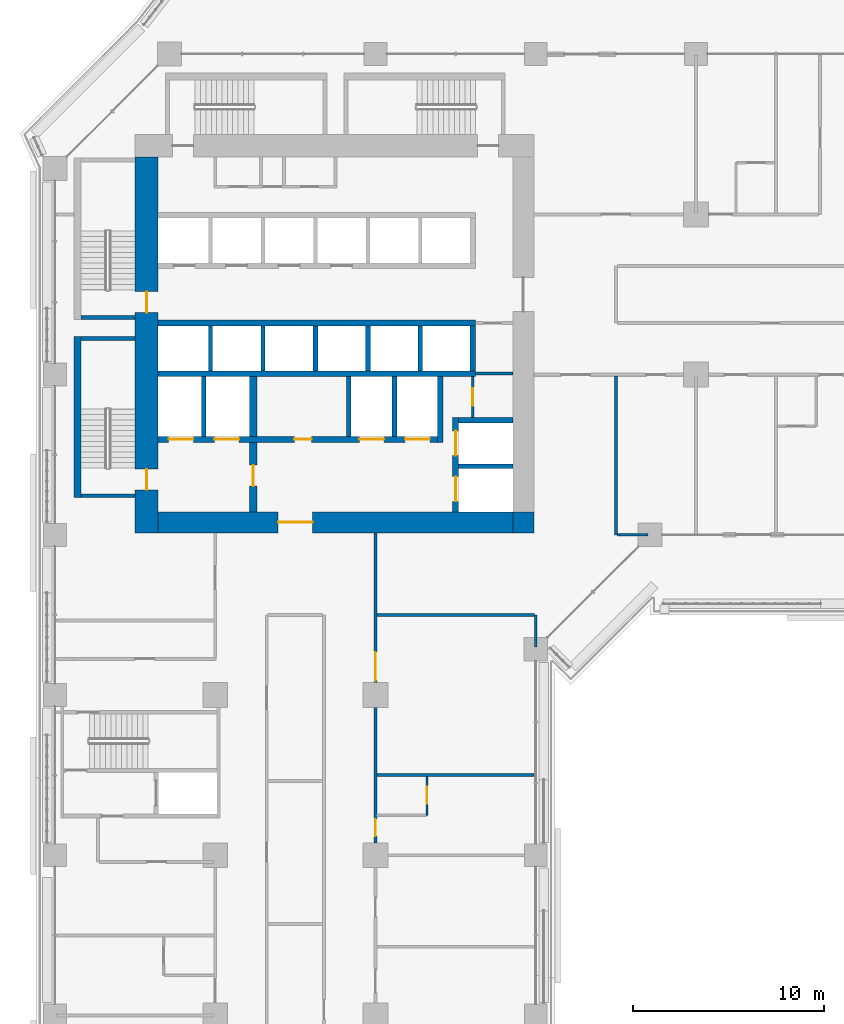
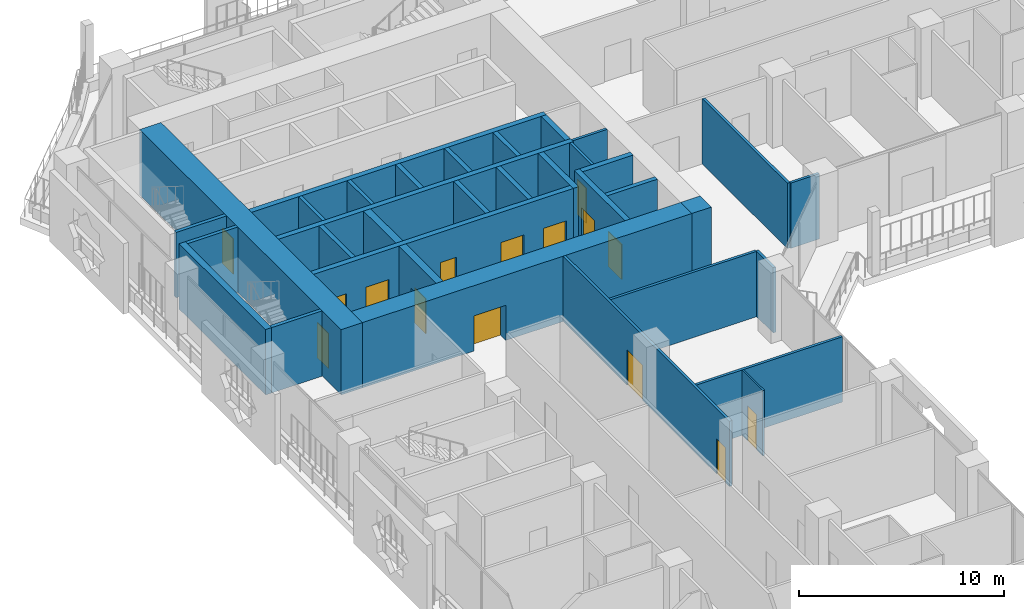
# One storey, part 15 of 28: 34 walls, 15 doors, 15 openings.
"""IFC4 building model written with IfcOpenShell, lengths in metres."""

from ifc_helpers import new_model, si_unit, direction, frame, frame_2d, origin, place, context, subcontext, project, spatial, rectangle, extrude, material, layer, layer_set, type_object, element, fill, save


model = new_model("IFC4")

# Units and contexts
model_context = context("Model", 3, precision=1e-05, world=origin(), true_north=direction((0.0, 1.0)))
body_context = subcontext(model_context, "Body", "Model", "MODEL_VIEW")
ifc_project = project(units=[si_unit("LENGTHUNIT", "METRE"), si_unit("AREAUNIT", "SQUARE_METRE"), si_unit("VOLUMEUNIT", "CUBIC_METRE"), si_unit("PLANEANGLEUNIT", "RADIAN"), si_unit("MASSUNIT", "GRAM", prefix="KILO")], contexts=[model_context])

# Site, building, storey
site_placement = place(None, origin())
site = spatial("IfcSite", under=ifc_project, at=site_placement, CompositionType="ELEMENT")
building_placement = place(site_placement, origin())
building = spatial("IfcBuilding", under=site, at=building_placement, Name="Kawkab Arch Medical Tower", CompositionType="ELEMENT")
storey_placement = place(building_placement, frame((0.0, 0.0, 77.0)))
storey = spatial("IfcBuildingStorey", under=building, at=storey_placement, Name="L17", CompositionType="ELEMENT", Elevation=77.0)

# Wall, opening, door
ifc_material_1 = material(Name="Concrete C60/75", Category="concrete")
ifc_layer_1 = layer(ifc_material_1, 1.10009765625)
ifc_layer_set_1 = layer_set([ifc_layer_1], Name="Concrete C60/75")
wall_type_1 = type_object("IfcWallType", Name="Core ring wall 1100 C60/75", PredefinedType="SHEAR", material=ifc_layer_set_1)
wall_1_placement = place(storey_placement, frame((5.39990234375, -24.550048828125, 0.0), z_axis=(0.0, 0.0, 1.0), x_axis=(1.0, 0.0, 0.0)))
wall_1 = element("IfcWall", 1, at=wall_1_placement, inside=storey, type_object=wall_type_1, Name="L17 core wall", PredefinedType="SHEAR", context=body_context, shape_type="SweptSolid", body=[
    extrude(rectangle(XDim=18.60009765625, YDim=1.10009765625, at=frame_2d((9.300048828125, 0.0))), origin(), (0.0, 0.0, 1.0), 3.89990234375),
])
opening_1_placement = place(wall_1_placement, frame((6.300048828125, 0.0, 0.0)))
opening_1 = element("IfcOpeningElement", 2, at=opening_1_placement, cuts=wall_1, Name="Opening PD", PredefinedType="OPENING", context=body_context, shape_type="SweptSolid", body=[
    extrude(rectangle(XDim=1.800048828125, YDim=2.10009765625, at=frame_2d((0.89990234375, 1.050048828125))), frame((0.0, 0.56005859375, 0.0), z_axis=(0.0, -1.0, 0.0), x_axis=(1.0, 0.0, 0.0)), (0.0, 0.0, 1.0), 1.1201171875),
])
ifc_material_2 = material(Name="Hollow metal fire door leaf")
door_type_1 = type_object("IfcDoorType", Name="Core entrance doors 1800", OperationType="DOUBLE_DOOR_SINGLE_SWING", PredefinedType="DOOR", material=ifc_material_2)
door_1_placement = place(opening_1_placement, origin())
door_1 = element("IfcDoor", 3, at=door_1_placement, inside=storey, type_object=door_type_1, Name="L17 South entrance doors", OperationType="DOUBLE_DOOR_SINGLE_SWING", OverallHeight=2.10009765625, OverallWidth=1.800048828125, PredefinedType="DOOR", context=body_context, shape_type="SweptSolid", body=[
    extrude(rectangle(XDim=1.800048828125, YDim=2.10009765625, at=frame_2d((0.89990234375, 1.050048828125))), frame((0.0, 0.02490234375, 0.0), z_axis=(0.0, -1.0, 0.0), x_axis=(1.0, 0.0, 0.0)), (0.0, 0.0, 1.0), 0.050048828125),
])
fill(opening_1, door_1)

# Wall
wall_2_placement = place(storey_placement, frame((24.550048828125, -25.10009765625, 0.0), z_axis=(0.0, 0.0, 1.0), x_axis=(0.0, 1.0, 0.0)))
element("IfcWall", 4, at=wall_2_placement, inside=storey, type_object=wall_type_1, Name="L17 core wall", PredefinedType="SHEAR", context=body_context, shape_type="SweptSolid", body=[
    extrude(rectangle(XDim=1.10009765625, YDim=1.10009765625, at=frame_2d((0.550048828125, 0.0))), origin(), (0.0, 0.0, 1.0), 3.89990234375),
])

# Wall, openings, doors
ifc_material_3 = material(Name="Concrete C60/75", Category="concrete")
ifc_layer_2 = layer(ifc_material_3, 1.199951171875)
ifc_layer_set_2 = layer_set([ifc_layer_2], Name="Concrete C60/75")
wall_type_2 = type_object("IfcWallType", Name="Core ring wall 1200 C60/75", PredefinedType="SHEAR", material=ifc_layer_set_2)
wall_3_placement = place(storey_placement, frame((4.800048828125, -25.10009765625, 0.0), z_axis=(0.0, 0.0, 1.0), x_axis=(0.0, 1.0, 0.0)))
wall_3 = element("IfcWall", 5, at=wall_3_placement, inside=storey, type_object=wall_type_2, Name="L17 core wall", PredefinedType="SHEAR", context=body_context, shape_type="SweptSolid", body=[
    extrude(rectangle(XDim=19.7001953125, YDim=1.199951171875, at=frame_2d((9.85009765625, 0.0))), origin(), (0.0, 0.0, 1.0), 3.89990234375),
])
opening_2_placement = place(wall_3_placement, frame((11.550048828125, 0.0, 0.0)))
opening_2 = element("IfcOpeningElement", 6, at=opening_2_placement, cuts=wall_3, Name="Opening SD", PredefinedType="OPENING", context=body_context, shape_type="SweptSolid", body=[
    extrude(rectangle(XDim=1.10009765625, YDim=2.10009765625, at=frame_2d((0.550048828125, 1.050048828125))), frame((0.0, 0.60986328125, 0.0), z_axis=(0.0, -1.0, 0.0), x_axis=(1.0, 0.0, 0.0)), (0.0, 0.0, 1.0), 1.219970703125),
])
opening_3_placement = place(wall_3_placement, frame((2.25, 0.0, 0.0)))
opening_3 = element("IfcOpeningElement", 7, at=opening_3_placement, cuts=wall_3, Name="Opening SD", PredefinedType="OPENING", context=body_context, shape_type="SweptSolid", body=[
    extrude(rectangle(XDim=1.10009765625, YDim=2.10009765625, at=frame_2d((0.550048828125, 1.050048828125))), frame((0.0, 0.60986328125, 0.0), z_axis=(0.0, -1.0, 0.0), x_axis=(1.0, 0.0, 0.0)), (0.0, 0.0, 1.0), 1.219970703125),
])
ifc_material_4 = material(Name="Hollow metal fire door leaf")
door_type_2 = type_object("IfcDoorType", Name="Exit stair door 1100", OperationType="SINGLE_SWING_LEFT", PredefinedType="DOOR", material=ifc_material_4)
door_2_placement = place(opening_2_placement, origin())
door_2 = element("IfcDoor", 8, at=door_2_placement, inside=storey, type_object=door_type_2, Name="L17 Exit stair ST1 door", OperationType="SINGLE_SWING_LEFT", OverallHeight=2.10009765625, OverallWidth=1.10009765625, PredefinedType="DOOR", context=body_context, shape_type="SweptSolid", body=[
    extrude(rectangle(XDim=1.10009765625, YDim=2.10009765625, at=frame_2d((0.550048828125, 1.050048828125))), frame((0.0, 0.02490234375, 0.0), z_axis=(0.0, -1.0, 0.0), x_axis=(1.0, 0.0, 0.0)), (0.0, 0.0, 1.0), 0.050048828125),
])
fill(opening_2, door_2)
door_3_placement = place(opening_3_placement, origin())
door_3 = element("IfcDoor", 9, at=door_3_placement, inside=storey, type_object=door_type_2, Name="L17 Exit stair ST2 door", OperationType="SINGLE_SWING_LEFT", OverallHeight=2.10009765625, OverallWidth=1.10009765625, PredefinedType="DOOR", context=body_context, shape_type="SweptSolid", body=[
    extrude(rectangle(XDim=1.10009765625, YDim=2.10009765625, at=frame_2d((0.550048828125, 1.050048828125))), frame((0.0, 0.02490234375, 0.0), z_axis=(0.0, -1.0, 0.0), x_axis=(1.0, 0.0, 0.0)), (0.0, 0.0, 1.0), 0.050048828125),
])
fill(opening_3, door_3)

# Wall, opening, door
ifc_material_5 = material(Name="Gypsum board on steel studs", Category="steel")
ifc_layer_3 = layer(ifc_material_5, 0.14990234375)
ifc_layer_set_3 = layer_set([ifc_layer_3], Name="Gypsum board on steel studs")
wall_type_3 = type_object("IfcWallType", Name="Core room partition 150", PredefinedType="PARTITIONING", material=ifc_layer_set_3)
wall_4_placement = place(storey_placement, frame((21.89990234375, -19.050048828125, 0.0), z_axis=(0.0, 0.0, 1.0), x_axis=(0.0, 1.0, 0.0)))
wall_4 = element("IfcWall", 10, at=wall_4_placement, inside=storey, type_object=wall_type_3, Name="L17 core room partition", PredefinedType="PARTITIONING", context=body_context, shape_type="SweptSolid", body=[
    extrude(rectangle(XDim=2.150146484375, YDim=0.14990234375, at=frame_2d((1.0751953125, 0.0))), origin(), (0.0, 0.0, 1.0), 3.89990234375),
])
opening_4_placement = place(wall_4_placement, frame((0.625, 0.0, 0.0)))
opening_4 = element("IfcOpeningElement", 11, at=opening_4_placement, cuts=wall_4, Name="Opening RD", PredefinedType="OPENING", context=body_context, shape_type="SweptSolid", body=[
    extrude(rectangle(XDim=0.89990234375, YDim=2.10009765625, at=frame_2d((0.449951171875, 1.050048828125))), frame((0.0, 0.0849609375, 0.0), z_axis=(0.0, -1.0, 0.0), x_axis=(1.0, 0.0, 0.0)), (0.0, 0.0, 1.0), 0.169921875),
])
ifc_material_6 = material(Name="Hollow metal fire door leaf")
door_type_3 = type_object("IfcDoorType", Name="Core room door 900", OperationType="SINGLE_SWING_LEFT", PredefinedType="DOOR", material=ifc_material_6)
door_4_placement = place(opening_4_placement, origin())
door_4 = element("IfcDoor", 12, at=door_4_placement, inside=storey, type_object=door_type_3, Name="L17 Accessible WC door", OperationType="SINGLE_SWING_LEFT", OverallHeight=2.10009765625, OverallWidth=0.89990234375, PredefinedType="DOOR", context=body_context, shape_type="SweptSolid", body=[
    extrude(rectangle(XDim=0.89990234375, YDim=2.10009765625, at=frame_2d((0.449951171875, 1.050048828125))), frame((0.0, 0.02490234375, 0.0), z_axis=(0.0, -1.0, 0.0), x_axis=(1.0, 0.0, 0.0)), (0.0, 0.0, 1.0), 0.050048828125),
])
fill(opening_4, door_4)

# Walls
wall_5_placement = place(storey_placement, frame((22.050048828125, -16.75, 0.0), z_axis=(0.0, 0.0, 1.0), x_axis=(1.0, 0.0, 0.0)))
element("IfcWall", 13, at=wall_5_placement, inside=storey, type_object=wall_type_3, Name="L17 core room partition", PredefinedType="PARTITIONING", context=body_context, shape_type="SweptSolid", body=[
    extrude(rectangle(XDim=1.949951171875, YDim=0.14990234375, at=frame_2d((0.97509765625, 0.0))), origin(), (0.0, 0.0, 1.0), 3.89990234375),
])
ifc_material_7 = material(Name="Concrete C60/75", Category="concrete")
ifc_layer_4 = layer(ifc_material_7, 0.25)
ifc_layer_set_4 = layer_set([ifc_layer_4], Name="Concrete C60/75")
wall_type_4 = type_object("IfcWallType", Name="Core shear wall 250 C60/75", PredefinedType="SHEAR", material=ifc_layer_set_4)
wall_6_placement = place(storey_placement, frame((21.14990234375, -21.60009765625, 0.0), z_axis=(0.0, 0.0, 1.0), x_axis=(1.0, 0.0, 0.0)))
element("IfcWall", 14, at=wall_6_placement, inside=storey, type_object=wall_type_4, Name="L17 core shear wall", PredefinedType="SHEAR", context=body_context, shape_type="SweptSolid", body=[
    extrude(rectangle(XDim=2.85009765625, YDim=0.25, at=frame_2d((1.425048828125, 0.0))), origin(), (0.0, 0.0, 1.0), 3.89990234375),
])
for number, where, z_axis, x_axis, name in (
    (15, (7.800048828125, -20.050048828125, 0.0), (0.0, 0.0, 1.0), (0.0, 1.0, 0.0), "L17 core shear wall"),
    (16, (15.39990234375, -20.050048828125, 0.0), (0.0, 0.0, 1.0), (0.0, 1.0, 0.0), "L17 core shear wall"),
    (17, (17.800048828125, -20.050048828125, 0.0), (0.0, 0.0, 1.0), (0.0, 1.0, 0.0), "L17 core shear wall"),
):
    element("IfcWall", number, at=place(storey_placement, frame(where, z_axis=z_axis, x_axis=x_axis)), inside=storey, type_object=wall_type_4, Name=name, PredefinedType="SHEAR", context=body_context, shape_type="SweptSolid", body=[
        extrude(rectangle(XDim=3.150146484375, YDim=0.25, at=frame_2d((1.5751953125, 0.0))), origin(), (0.0, 0.0, 1.0), 3.89990234375),
    ])
for number, where, z_axis, x_axis, name in (
    (18, (13.64990234375, -16.60009765625, 0.0), (0.0, 0.0, 1.0), (0.0, 1.0, 0.0), "L17 core shear wall"),
    (19, (16.39990234375, -16.60009765625, 0.0), (0.0, 0.0, 1.0), (0.0, 1.0, 0.0), "L17 core shear wall"),
    (20, (19.14990234375, -16.60009765625, 0.0), (0.0, 0.0, 1.0), (0.0, 1.0, 0.0), "L17 core shear wall"),
):
    element("IfcWall", number, at=place(storey_placement, frame(where, z_axis=z_axis, x_axis=x_axis)), inside=storey, type_object=wall_type_4, Name=name, PredefinedType="SHEAR", context=body_context, shape_type="SweptSolid", body=[
        extrude(rectangle(XDim=2.35009765625, YDim=0.25, at=frame_2d((1.175048828125, 0.0))), origin(), (0.0, 0.0, 1.0), 3.89990234375),
    ])
ifc_material_8 = material(Name="Concrete C60/75", Category="concrete")
ifc_layer_5 = layer(ifc_material_8, 0.300048828125)
ifc_layer_set_5 = layer_set([ifc_layer_5], Name="Concrete C60/75")
wall_type_5 = type_object("IfcWallType", Name="Core shear wall 300 C60/75", PredefinedType="SHEAR", material=ifc_layer_set_5)
for number, where, z_axis, x_axis, name in (
    (21, (5.39990234375, -14.10009765625, 0.0), (0.0, 0.0, 1.0), (1.0, 0.0, 0.0), "L17 core shear wall"),
    (22, (5.39990234375, -16.75, 0.0), (0.0, 0.0, 1.0), (1.0, 0.0, 0.0), "L17 core shear wall"),
):
    element("IfcWall", number, at=place(storey_placement, frame(where, z_axis=z_axis, x_axis=x_axis)), inside=storey, type_object=wall_type_5, Name=name, PredefinedType="SHEAR", context=body_context, shape_type="SweptSolid", body=[
        extrude(rectangle(XDim=16.650146484375, YDim=0.300048828125, at=frame_2d((8.3251953125, 0.0))), origin(), (0.0, 0.0, 1.0), 3.89990234375),
    ])

# Wall, openings, doors
wall_7_placement = place(storey_placement, frame((5.39990234375, -20.199951171875, 0.0), z_axis=(0.0, 0.0, 1.0), x_axis=(1.0, 0.0, 0.0)))
wall_7 = element("IfcWall", 23, at=wall_7_placement, inside=storey, type_object=wall_type_5, Name="L17 core shear wall", PredefinedType="SHEAR", context=body_context, shape_type="SweptSolid", body=[
    extrude(rectangle(XDim=14.650146484375, YDim=0.300048828125, at=frame_2d((7.3251953125, 0.0))), origin(), (0.0, 0.0, 1.0), 3.89990234375),
])
opening_5_placement = place(wall_7_placement, frame((10.550048828125, 0.0, 0.0)))
opening_5 = element("IfcOpeningElement", 24, at=opening_5_placement, cuts=wall_7, Name="Opening LD2", PredefinedType="OPENING", context=body_context, shape_type="SweptSolid", body=[
    extrude(rectangle(XDim=1.300048828125, YDim=2.10009765625, at=frame_2d((0.64990234375, 1.050048828125))), frame((0.0, 0.159912109375, 0.0), z_axis=(0.0, -1.0, 0.0), x_axis=(1.0, 0.0, 0.0)), (0.0, 0.0, 1.0), 0.320068359375),
])
opening_6_placement = place(wall_7_placement, frame((12.949951171875, 0.0, 0.0)))
opening_6 = element("IfcOpeningElement", 25, at=opening_6_placement, cuts=wall_7, Name="Opening LD2", PredefinedType="OPENING", context=body_context, shape_type="SweptSolid", body=[
    extrude(rectangle(XDim=1.300048828125, YDim=2.10009765625, at=frame_2d((0.64990234375, 1.050048828125))), frame((0.0, 0.159912109375, 0.0), z_axis=(0.0, -1.0, 0.0), x_axis=(1.0, 0.0, 0.0)), (0.0, 0.0, 1.0), 0.320068359375),
])
opening_7_placement = place(wall_7_placement, frame((0.550048828125, 0.0, 0.0)))
opening_7 = element("IfcOpeningElement", 26, at=opening_7_placement, cuts=wall_7, Name="Opening LD2", PredefinedType="OPENING", context=body_context, shape_type="SweptSolid", body=[
    extrude(rectangle(XDim=1.300048828125, YDim=2.10009765625, at=frame_2d((0.64990234375, 1.050048828125))), frame((0.0, 0.159912109375, 0.0), z_axis=(0.0, -1.0, 0.0), x_axis=(1.0, 0.0, 0.0)), (0.0, 0.0, 1.0), 0.320068359375),
])
opening_8_placement = place(wall_7_placement, frame((2.949951171875, 0.0, 0.0)))
opening_8 = element("IfcOpeningElement", 27, at=opening_8_placement, cuts=wall_7, Name="Opening LD2", PredefinedType="OPENING", context=body_context, shape_type="SweptSolid", body=[
    extrude(rectangle(XDim=1.300048828125, YDim=2.10009765625, at=frame_2d((0.64990234375, 1.050048828125))), frame((0.0, 0.159912109375, 0.0), z_axis=(0.0, -1.0, 0.0), x_axis=(1.0, 0.0, 0.0)), (0.0, 0.0, 1.0), 0.320068359375),
])
opening_9_placement = place(wall_7_placement, frame((7.14990234375, 0.0, 0.0)))
opening_9 = element("IfcOpeningElement", 28, at=opening_9_placement, cuts=wall_7, Name="Opening RD", PredefinedType="OPENING", context=body_context, shape_type="SweptSolid", body=[
    extrude(rectangle(XDim=0.89990234375, YDim=2.10009765625, at=frame_2d((0.449951171875, 1.050048828125))), frame((0.0, 0.159912109375, 0.0), z_axis=(0.0, -1.0, 0.0), x_axis=(1.0, 0.0, 0.0)), (0.0, 0.0, 1.0), 0.320068359375),
])
door_5_placement = place(opening_9_placement, origin())
door_5 = element("IfcDoor", 29, at=door_5_placement, inside=storey, type_object=door_type_3, Name="L17 Linen store door", OperationType="SINGLE_SWING_LEFT", OverallHeight=2.10009765625, OverallWidth=0.89990234375, PredefinedType="DOOR", context=body_context, shape_type="SweptSolid", body=[
    extrude(rectangle(XDim=0.89990234375, YDim=2.10009765625, at=frame_2d((0.449951171875, 1.050048828125))), frame((0.0, 0.02490234375, 0.0), z_axis=(0.0, -1.0, 0.0), x_axis=(1.0, 0.0, 0.0)), (0.0, 0.0, 1.0), 0.050048828125),
])
fill(opening_9, door_5)
ifc_material_9 = material(Name="Stainless steel lift door leaf", Category="steel")
door_type_4 = type_object("IfcDoorType", Name="Lift landing door 1300", OperationType="DOUBLE_DOOR_SLIDING", PredefinedType="DOOR", material=ifc_material_9)
door_6_placement = place(opening_5_placement, origin())
door_6 = element("IfcDoor", 30, at=door_6_placement, inside=storey, type_object=door_type_4, Name="L17 Lift landing door BD3", OperationType="DOUBLE_DOOR_SLIDING", OverallHeight=2.10009765625, OverallWidth=1.300048828125, PredefinedType="DOOR", context=body_context, shape_type="SweptSolid", body=[
    extrude(rectangle(XDim=1.300048828125, YDim=2.10009765625, at=frame_2d((0.64990234375, 1.050048828125))), frame((0.0, 0.02490234375, 0.0), z_axis=(0.0, -1.0, 0.0), x_axis=(1.0, 0.0, 0.0)), (0.0, 0.0, 1.0), 0.050048828125),
])
fill(opening_5, door_6)
door_7_placement = place(opening_6_placement, origin())
door_7 = element("IfcDoor", 31, at=door_7_placement, inside=storey, type_object=door_type_4, Name="L17 Lift landing door BD4", OperationType="DOUBLE_DOOR_SLIDING", OverallHeight=2.10009765625, OverallWidth=1.300048828125, PredefinedType="DOOR", context=body_context, shape_type="SweptSolid", body=[
    extrude(rectangle(XDim=1.300048828125, YDim=2.10009765625, at=frame_2d((0.64990234375, 1.050048828125))), frame((0.0, 0.02490234375, 0.0), z_axis=(0.0, -1.0, 0.0), x_axis=(1.0, 0.0, 0.0)), (0.0, 0.0, 1.0), 0.050048828125),
])
fill(opening_6, door_7)
door_8_placement = place(opening_7_placement, origin())
door_8 = element("IfcDoor", 32, at=door_8_placement, inside=storey, type_object=door_type_4, Name="L17 Lift landing door FL1", OperationType="DOUBLE_DOOR_SLIDING", OverallHeight=2.10009765625, OverallWidth=1.300048828125, PredefinedType="DOOR", context=body_context, shape_type="SweptSolid", body=[
    extrude(rectangle(XDim=1.300048828125, YDim=2.10009765625, at=frame_2d((0.64990234375, 1.050048828125))), frame((0.0, 0.02490234375, 0.0), z_axis=(0.0, -1.0, 0.0), x_axis=(1.0, 0.0, 0.0)), (0.0, 0.0, 1.0), 0.050048828125),
])
fill(opening_7, door_8)
door_9_placement = place(opening_8_placement, origin())
door_9 = element("IfcDoor", 33, at=door_9_placement, inside=storey, type_object=door_type_4, Name="L17 Lift landing door FL2", OperationType="DOUBLE_DOOR_SLIDING", OverallHeight=2.10009765625, OverallWidth=1.300048828125, PredefinedType="DOOR", context=body_context, shape_type="SweptSolid", body=[
    extrude(rectangle(XDim=1.300048828125, YDim=2.10009765625, at=frame_2d((0.64990234375, 1.050048828125))), frame((0.0, 0.02490234375, 0.0), z_axis=(0.0, -1.0, 0.0), x_axis=(1.0, 0.0, 0.0)), (0.0, 0.0, 1.0), 0.050048828125),
])
fill(opening_8, door_9)

# Walls
wall_8_placement = place(storey_placement, frame((20.199951171875, -20.35009765625, 0.0), z_axis=(0.0, 0.0, 1.0), x_axis=(0.0, 1.0, 0.0)))
element("IfcWall", 34, at=wall_8_placement, inside=storey, type_object=wall_type_5, Name="L17 core shear wall", PredefinedType="SHEAR", context=body_context, shape_type="SweptSolid", body=[
    extrude(rectangle(XDim=3.4501953125, YDim=0.300048828125, at=frame_2d((1.72509765625, 0.0))), origin(), (0.0, 0.0, 1.0), 3.89990234375),
])
wall_9_placement = place(storey_placement, frame((21.89990234375, -16.60009765625, 0.0), z_axis=(0.0, 0.0, 1.0), x_axis=(0.0, 1.0, 0.0)))
element("IfcWall", 35, at=wall_9_placement, inside=storey, type_object=wall_type_5, Name="L17 core shear wall", PredefinedType="SHEAR", context=body_context, shape_type="SweptSolid", body=[
    extrude(rectangle(XDim=2.35009765625, YDim=0.300048828125, at=frame_2d((1.175048828125, 0.0))), origin(), (0.0, 0.0, 1.0), 3.89990234375),
])
wall_10_placement = place(storey_placement, frame((21.14990234375, -19.199951171875, 0.0), z_axis=(0.0, 0.0, 1.0), x_axis=(1.0, 0.0, 0.0)))
element("IfcWall", 36, at=wall_10_placement, inside=storey, type_object=wall_type_5, Name="L17 core shear wall", PredefinedType="SHEAR", context=body_context, shape_type="SweptSolid", body=[
    extrude(rectangle(XDim=2.85009765625, YDim=0.300048828125, at=frame_2d((1.425048828125, 0.0))), origin(), (0.0, 0.0, 1.0), 3.89990234375),
])

# Wall, openings, doors
wall_11_placement = place(storey_placement, frame((21.0, -24.0, 0.0), z_axis=(0.0, 0.0, 1.0), x_axis=(0.0, 1.0, 0.0)))
wall_11 = element("IfcWall", 37, at=wall_11_placement, inside=storey, type_object=wall_type_5, Name="L17 core shear wall", PredefinedType="SHEAR", context=body_context, shape_type="SweptSolid", body=[
    extrude(rectangle(XDim=4.949951171875, YDim=0.300048828125, at=frame_2d((2.47509765625, 0.0))), origin(), (0.0, 0.0, 1.0), 3.89990234375),
])
opening_10_placement = place(wall_11_placement, frame((2.949951171875, 0.0, 0.0)))
opening_10 = element("IfcOpeningElement", 38, at=opening_10_placement, cuts=wall_11, Name="Opening LD2", PredefinedType="OPENING", context=body_context, shape_type="SweptSolid", body=[
    extrude(rectangle(XDim=1.300048828125, YDim=2.10009765625, at=frame_2d((0.64990234375, 1.050048828125))), frame((0.0, 0.159912109375, 0.0), z_axis=(0.0, -1.0, 0.0), x_axis=(1.0, 0.0, 0.0)), (0.0, 0.0, 1.0), 0.320068359375),
])
opening_11_placement = place(wall_11_placement, frame((0.550048828125, 0.0, 0.0)))
opening_11 = element("IfcOpeningElement", 39, at=opening_11_placement, cuts=wall_11, Name="Opening LD2", PredefinedType="OPENING", context=body_context, shape_type="SweptSolid", body=[
    extrude(rectangle(XDim=1.300048828125, YDim=2.10009765625, at=frame_2d((0.64990234375, 1.050048828125))), frame((0.0, 0.159912109375, 0.0), z_axis=(0.0, -1.0, 0.0), x_axis=(1.0, 0.0, 0.0)), (0.0, 0.0, 1.0), 0.320068359375),
])
door_10_placement = place(opening_10_placement, origin())
door_10 = element("IfcDoor", 40, at=door_10_placement, inside=storey, type_object=door_type_4, Name="L17 Lift landing door BD1", OperationType="DOUBLE_DOOR_SLIDING", OverallHeight=2.10009765625, OverallWidth=1.300048828125, PredefinedType="DOOR", context=body_context, shape_type="SweptSolid", body=[
    extrude(rectangle(XDim=1.300048828125, YDim=2.10009765625, at=frame_2d((0.64990234375, 1.050048828125))), frame((0.0, 0.02490234375, 0.0), z_axis=(0.0, -1.0, 0.0), x_axis=(1.0, 0.0, 0.0)), (0.0, 0.0, 1.0), 0.050048828125),
])
fill(opening_10, door_10)
door_11_placement = place(opening_11_placement, origin())
door_11 = element("IfcDoor", 41, at=door_11_placement, inside=storey, type_object=door_type_4, Name="L17 Lift landing door BD2", OperationType="DOUBLE_DOOR_SLIDING", OverallHeight=2.10009765625, OverallWidth=1.300048828125, PredefinedType="DOOR", context=body_context, shape_type="SweptSolid", body=[
    extrude(rectangle(XDim=1.300048828125, YDim=2.10009765625, at=frame_2d((0.64990234375, 1.050048828125))), frame((0.0, 0.02490234375, 0.0), z_axis=(0.0, -1.0, 0.0), x_axis=(1.0, 0.0, 0.0)), (0.0, 0.0, 1.0), 0.050048828125),
])
fill(opening_11, door_11)

# Wall, opening, door
ifc_material_10 = material(Name="Concrete C60/75", Category="concrete")
ifc_layer_6 = layer(ifc_material_10, 0.39990234375)
ifc_layer_set_6 = layer_set([ifc_layer_6], Name="Concrete C60/75")
wall_type_6 = type_object("IfcWallType", Name="Core shear wall 400 C60/75", PredefinedType="SHEAR", material=ifc_layer_set_6)
wall_12_placement = place(storey_placement, frame((10.39990234375, -24.0, 0.0), z_axis=(0.0, 0.0, 1.0), x_axis=(0.0, 1.0, 0.0)))
wall_12 = element("IfcWall", 42, at=wall_12_placement, inside=storey, type_object=wall_type_6, Name="L17 core shear wall", PredefinedType="SHEAR", context=body_context, shape_type="SweptSolid", body=[
    extrude(rectangle(XDim=3.64990234375, YDim=0.39990234375, at=frame_2d((1.824951171875, 0.0))), origin(), (0.0, 0.0, 1.0), 3.89990234375),
])
opening_12_placement = place(wall_12_placement, frame((1.35009765625, 0.0, 0.0)))
opening_12 = element("IfcOpeningElement", 43, at=opening_12_placement, cuts=wall_12, Name="Opening FD", PredefinedType="OPENING", context=body_context, shape_type="SweptSolid", body=[
    extrude(rectangle(XDim=1.10009765625, YDim=2.10009765625, at=frame_2d((0.550048828125, 1.050048828125))), frame((0.0, 0.2099609375, 0.0), z_axis=(0.0, -1.0, 0.0), x_axis=(1.0, 0.0, 0.0)), (0.0, 0.0, 1.0), 0.419921875),
])
ifc_material_11 = material(Name="Hollow metal fire door leaf")
door_type_5 = type_object("IfcDoorType", Name="Firefighting lobby door 1100", OperationType="SINGLE_SWING_LEFT", PredefinedType="DOOR", material=ifc_material_11)
door_12_placement = place(opening_12_placement, origin())
door_12 = element("IfcDoor", 44, at=door_12_placement, inside=storey, type_object=door_type_5, Name="L17 Firefighting lobby door", OperationType="SINGLE_SWING_LEFT", OverallHeight=2.10009765625, OverallWidth=1.10009765625, PredefinedType="DOOR", context=body_context, shape_type="SweptSolid", body=[
    extrude(rectangle(XDim=1.10009765625, YDim=2.10009765625, at=frame_2d((0.550048828125, 1.050048828125))), frame((0.0, 0.02490234375, 0.0), z_axis=(0.0, -1.0, 0.0), x_axis=(1.0, 0.0, 0.0)), (0.0, 0.0, 1.0), 0.050048828125),
])
fill(opening_12, door_12)

# Walls
wall_13_placement = place(storey_placement, frame((10.39990234375, -20.050048828125, 0.0), z_axis=(0.0, 0.0, 1.0), x_axis=(0.0, 1.0, 0.0)))
element("IfcWall", 45, at=wall_13_placement, inside=storey, type_object=wall_type_6, Name="L17 core shear wall", PredefinedType="SHEAR", context=body_context, shape_type="SweptSolid", body=[
    extrude(rectangle(XDim=3.150146484375, YDim=0.39990234375, at=frame_2d((1.5751953125, 0.0))), origin(), (0.0, 0.0, 1.0), 3.89990234375),
])
ifc_material_12 = material(Name="Dense concrete blockwork", Category="masonry")
ifc_layer_7 = layer(ifc_material_12, 0.199951171875)
ifc_layer_set_7 = layer_set([ifc_layer_7], Name="Dense concrete blockwork")
wall_type_7 = type_object("IfcWallType", Name="Lift shaft partition 200", PredefinedType="PARTITIONING", material=ifc_layer_set_7)
for number, where, z_axis, x_axis, name in (
    (46, (8.14990234375, -16.60009765625, 0.0), (0.0, 0.0, 1.0), (0.0, 1.0, 0.0), "L17 lift shaft partition"),
    (47, (10.89990234375, -16.60009765625, 0.0), (0.0, 0.0, 1.0), (0.0, 1.0, 0.0), "L17 lift shaft partition"),
):
    element("IfcWall", number, at=place(storey_placement, frame(where, z_axis=z_axis, x_axis=x_axis)), inside=storey, type_object=wall_type_7, Name=name, PredefinedType="PARTITIONING", context=body_context, shape_type="SweptSolid", body=[
        extrude(rectangle(XDim=2.35009765625, YDim=0.199951171875, at=frame_2d((1.175048828125, 0.0))), origin(), (0.0, 0.0, 1.0), 3.89990234375),
    ])

# Wall, opening, door
ifc_material_13 = material(Name="Gypsum board partition on steel studs", Category="steel")
ifc_layer_8 = layer(ifc_material_13, 0.10009765625)
ifc_layer_set_8 = layer_set([ifc_layer_8], Name="Gypsum board partition on steel studs")
wall_type_8 = type_object("IfcWallType", Name="Partition 100", PredefinedType="PARTITIONING", material=ifc_layer_set_8)
wall_14_placement = place(storey_placement, frame((19.5, -39.89990234375, 0.0), z_axis=(0.0, 0.0, 1.0), x_axis=(0.0, 1.0, 0.0)))
wall_14 = element("IfcWall", 48, at=wall_14_placement, inside=storey, type_object=wall_type_8, Name="Partition 100 w025", PredefinedType="PARTITIONING", context=body_context, shape_type="SweptSolid", body=[
    extrude(rectangle(XDim=2.02490234375, YDim=0.10009765625, at=frame_2d((1.012451171875, 0.0))), origin(), (0.0, 0.0, 1.0), 3.89990234375),
])
opening_13_placement = place(wall_14_placement, frame((0.60009765625, 0.0, 0.0)))
opening_13 = element("IfcOpeningElement", 49, at=opening_13_placement, cuts=wall_14, Name="Opening W12-020", PredefinedType="OPENING", context=body_context, shape_type="SweptSolid", body=[
    extrude(rectangle(XDim=0.89990234375, YDim=2.10009765625, at=frame_2d((0.449951171875, 1.050048828125))), frame((0.0, 0.06005859375, 0.0), z_axis=(0.0, -1.0, 0.0), x_axis=(1.0, 0.0, 0.0)), (0.0, 0.0, 1.0), 0.1201171875),
])
ifc_material_14 = material(Name="Timber door leaf", Category="wood")
door_type_6 = type_object("IfcDoorType", Name="Single door 900x2100", OperationType="NOTDEFINED", PredefinedType="DOOR", material=ifc_material_14)
door_13_placement = place(opening_13_placement, origin())
door_13 = element("IfcDoor", 50, at=door_13_placement, inside=storey, type_object=door_type_6, Name="Door W12-020", OperationType="SINGLE_SWING_RIGHT", OverallHeight=2.10009765625, OverallWidth=0.89990234375, PredefinedType="DOOR", context=body_context, shape_type="SweptSolid", body=[
    extrude(rectangle(XDim=0.89990234375, YDim=2.10009765625, at=frame_2d((0.449951171875, 1.050048828125))), frame((0.0, 0.02490234375, 0.0), z_axis=(0.0, -1.0, 0.0), x_axis=(1.0, 0.0, 0.0)), (0.0, 0.0, 1.0), 0.050048828125),
])
fill(opening_13, door_13)

# Walls
ifc_material_15 = material(Name="Gypsum board partition on steel studs, mineral wool", Category="steel")
ifc_layer_9 = layer(ifc_material_15, 0.14990234375)
ifc_layer_set_9 = layer_set([ifc_layer_9], Name="Gypsum board partition on steel studs, mineral wool")
wall_type_9 = type_object("IfcWallType", Name="Partition 150", PredefinedType="PARTITIONING", material=ifc_layer_set_9)
wall_15_placement = place(storey_placement, frame((16.875, -37.800048828125, 0.0), z_axis=(0.0, 0.0, 1.0), x_axis=(1.0, 0.0, 0.0)))
element("IfcWall", 51, at=wall_15_placement, inside=storey, type_object=wall_type_9, Name="Partition 150 w054", PredefinedType="PARTITIONING", context=body_context, shape_type="SweptSolid", body=[
    extrude(rectangle(XDim=8.2451171875, YDim=0.14990234375, at=frame_2d((4.12255859375, 0.0))), origin(), (0.0, 0.0, 1.0), 3.89990234375),
])
wall_16_placement = place(storey_placement, frame((16.875, -29.39990234375, 0.0), z_axis=(0.0, 0.0, 1.0), x_axis=(1.0, 0.0, 0.0)))
element("IfcWall", 52, at=wall_16_placement, inside=storey, type_object=wall_type_9, Name="Partition 150 w060", PredefinedType="PARTITIONING", context=body_context, shape_type="SweptSolid", body=[
    extrude(rectangle(XDim=8.25, YDim=0.14990234375, at=frame_2d((4.125, 0.0))), origin(), (0.0, 0.0, 1.0), 3.89990234375),
])
wall_17_placement = place(storey_placement, frame((29.47509765625, -25.199951171875, 0.0), z_axis=(0.0, 0.0, 1.0), x_axis=(1.0, 0.0, 0.0)))
element("IfcWall", 53, at=wall_17_placement, inside=storey, type_object=wall_type_9, Name="Partition 150 w061", PredefinedType="PARTITIONING", context=body_context, shape_type="SweptSolid", body=[
    extrude(rectangle(XDim=1.61181640625, YDim=0.14990234375, at=frame_2d((0.805908203125, 0.0))), origin(), (0.0, 0.0, 1.0), 3.89990234375),
])

# Wall, openings, doors
wall_18_placement = place(storey_placement, frame((16.800048828125, -41.35009765625, 0.0), z_axis=(0.0, 0.0, 1.0), x_axis=(0.0, 1.0, 0.0)))
wall_18 = element("IfcWall", 54, at=wall_18_placement, inside=storey, type_object=wall_type_9, Name="Partition 150 w078", PredefinedType="PARTITIONING", context=body_context, shape_type="SweptSolid", body=[
    extrude(rectangle(XDim=16.25, YDim=0.14990234375, at=frame_2d((8.125, 0.0))), origin(), (0.0, 0.0, 1.0), 3.89990234375),
])
opening_14_placement = place(wall_18_placement, frame((8.5, 0.0, 0.0)))
opening_14 = element("IfcOpeningElement", 55, at=opening_14_placement, cuts=wall_18, Name="Opening W12-004", PredefinedType="OPENING", context=body_context, shape_type="SweptSolid", body=[
    extrude(rectangle(XDim=1.5, YDim=2.10009765625, at=frame_2d((0.75, 1.050048828125))), frame((0.0, 0.0849609375, 0.0), z_axis=(0.0, -1.0, 0.0), x_axis=(1.0, 0.0, 0.0)), (0.0, 0.0, 1.0), 0.169921875),
])
opening_15_placement = place(wall_18_placement, frame((0.35009765625, 0.0, 0.0)))
opening_15 = element("IfcOpeningElement", 56, at=opening_15_placement, cuts=wall_18, Name="Opening W12-027", PredefinedType="OPENING", context=body_context, shape_type="SweptSolid", body=[
    extrude(rectangle(XDim=0.89990234375, YDim=2.10009765625, at=frame_2d((0.449951171875, 1.050048828125))), frame((0.0, 0.0849609375, 0.0), z_axis=(0.0, -1.0, 0.0), x_axis=(1.0, 0.0, 0.0)), (0.0, 0.0, 1.0), 0.169921875),
])
ifc_material_16 = material(Name="Hollow metal door leaf")
door_type_7 = type_object("IfcDoorType", Name="Double door 1500x2100 FD30S", OperationType="NOTDEFINED", PredefinedType="DOOR", material=ifc_material_16)
door_14_placement = place(opening_14_placement, origin())
door_14 = element("IfcDoor", 57, at=door_14_placement, inside=storey, type_object=door_type_7, Name="Door W12-004", OperationType="DOUBLE_DOOR_SINGLE_SWING", OverallHeight=2.10009765625, OverallWidth=1.5, PredefinedType="DOOR", context=body_context, shape_type="SweptSolid", body=[
    extrude(rectangle(XDim=1.5, YDim=2.10009765625, at=frame_2d((0.75, 1.050048828125))), frame((0.0, 0.02490234375, 0.0), z_axis=(0.0, -1.0, 0.0), x_axis=(1.0, 0.0, 0.0)), (0.0, 0.0, 1.0), 0.050048828125),
])
fill(opening_14, door_14)
ifc_material_17 = material(Name="Hollow metal door leaf")
door_type_8 = type_object("IfcDoorType", Name="Single door 900x2100 FD30S", OperationType="NOTDEFINED", PredefinedType="DOOR", material=ifc_material_17)
door_15_placement = place(opening_15_placement, origin())
door_15 = element("IfcDoor", 58, at=door_15_placement, inside=storey, type_object=door_type_8, Name="Door W12-027", OperationType="SINGLE_SWING_RIGHT", OverallHeight=2.10009765625, OverallWidth=0.89990234375, PredefinedType="DOOR", context=body_context, shape_type="SweptSolid", body=[
    extrude(rectangle(XDim=0.89990234375, YDim=2.10009765625, at=frame_2d((0.449951171875, 1.050048828125))), frame((0.0, 0.02490234375, 0.0), z_axis=(0.0, -1.0, 0.0), x_axis=(1.0, 0.0, 0.0)), (0.0, 0.0, 1.0), 0.050048828125),
])
fill(opening_15, door_15)

# Walls
wall_19_placement = place(storey_placement, frame((25.199951171875, -31.0869140625, 0.0), z_axis=(0.0, 0.0, 1.0), x_axis=(0.0, 1.0, 0.0)))
element("IfcWall", 59, at=wall_19_placement, inside=storey, type_object=wall_type_9, Name="Partition 150 w079", PredefinedType="PARTITIONING", context=body_context, shape_type="SweptSolid", body=[
    extrude(rectangle(XDim=1.68701171875, YDim=0.14990234375, at=frame_2d((0.843505859375, 0.0))), origin(), (0.0, 0.0, 1.0), 3.89990234375),
])
wall_20_placement = place(storey_placement, frame((29.39990234375, -25.199951171875, 0.0), z_axis=(0.0, 0.0, 1.0), x_axis=(0.0, 1.0, 0.0)))
element("IfcWall", 60, at=wall_20_placement, inside=storey, type_object=wall_type_9, Name="Partition 150 w080", PredefinedType="PARTITIONING", context=body_context, shape_type="SweptSolid", body=[
    extrude(rectangle(XDim=8.324951171875, YDim=0.14990234375, at=frame_2d((4.16259765625, 0.0))), origin(), (0.0, 0.0, 1.0), 3.89990234375),
])
ifc_material_18 = material(Name="Concrete C50/60", Category="concrete")
ifc_layer_10 = layer(ifc_material_18, 0.199951171875)
ifc_layer_set_10 = layer_set([ifc_layer_10], Name="Concrete C50/60")
wall_type_10 = type_object("IfcWallType", Name="Stair enclosure wall 200 C50/60", PredefinedType="SHEAR", material=ifc_layer_set_10)
for number, where, z_axis, x_axis, name in (
    (61, (1.35009765625, -13.800048828125, 0.0), (0.0, 0.0, 1.0), (1.0, 0.0, 0.0), "L17 stair enclosure wall"),
    (62, (1.35009765625, -14.89990234375, 0.0), (0.0, 0.0, 1.0), (1.0, 0.0, 0.0), "L17 stair enclosure wall"),
    (63, (1.35009765625, -23.14990234375, 0.0), (0.0, 0.0, 1.0), (1.0, 0.0, 0.0), "L17 stair enclosure wall"),
):
    element("IfcWall", number, at=place(storey_placement, frame(where, z_axis=z_axis, x_axis=x_axis)), inside=storey, type_object=wall_type_10, Name=name, PredefinedType="SHEAR", context=body_context, shape_type="SweptSolid", body=[
        extrude(rectangle(XDim=2.849853515625, YDim=0.199951171875, at=frame_2d((1.4248046875, 0.0))), origin(), (0.0, 0.0, 1.0), 3.89990234375),
    ])
ifc_material_19 = material(Name="Concrete C50/60", Category="concrete")
ifc_layer_11 = layer(ifc_material_19, 0.35009765625)
ifc_layer_set_11 = layer_set([ifc_layer_11], Name="Concrete C50/60")
wall_type_11 = type_object("IfcWallType", Name="Stair enclosure wall 350 C50/60", PredefinedType="SHEAR", material=ifc_layer_set_11)
wall_21_placement = place(storey_placement, frame((1.175048828125, -23.25, 0.0), z_axis=(0.0, 0.0, 1.0), x_axis=(0.0, 1.0, 0.0)))
element("IfcWall", 64, at=wall_21_placement, inside=storey, type_object=wall_type_11, Name="L17 stair enclosure wall", PredefinedType="SHEAR", context=body_context, shape_type="SweptSolid", body=[
    extrude(rectangle(XDim=8.449951171875, YDim=0.35009765625, at=frame_2d((4.22509765625, 0.0))), origin(), (0.0, 0.0, 1.0), 3.89990234375),
])

save(model, "model.ifc")
